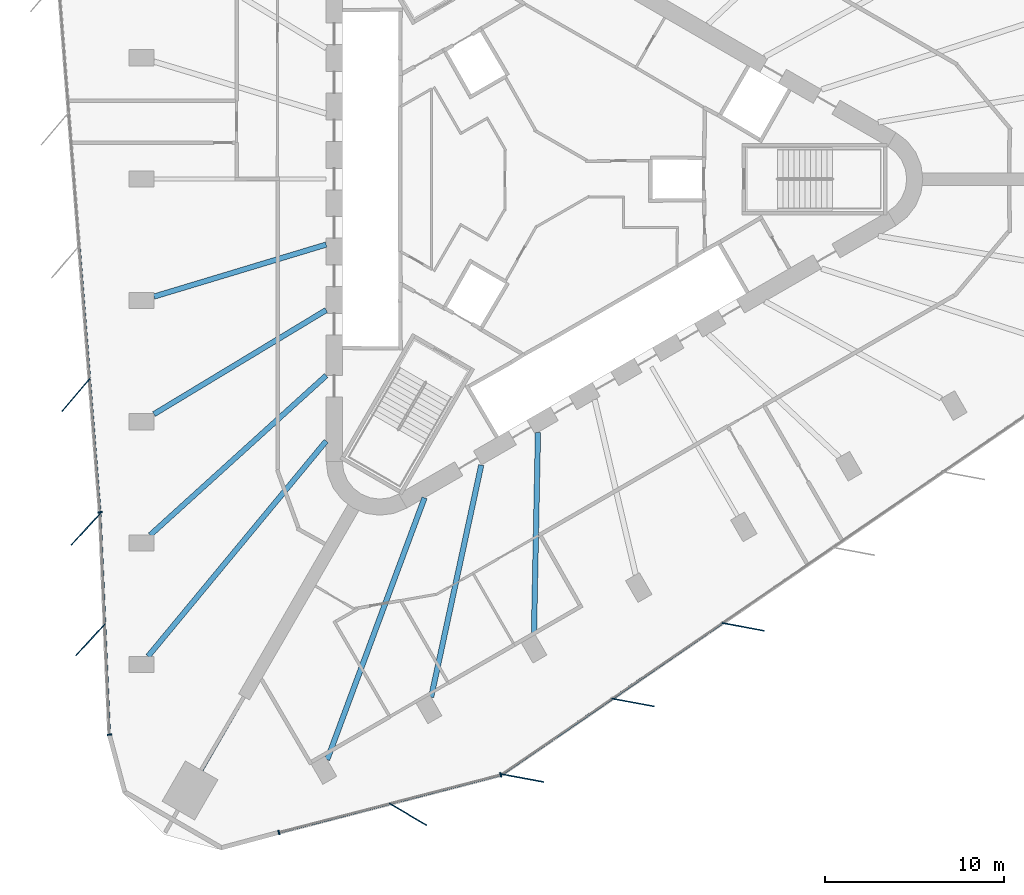
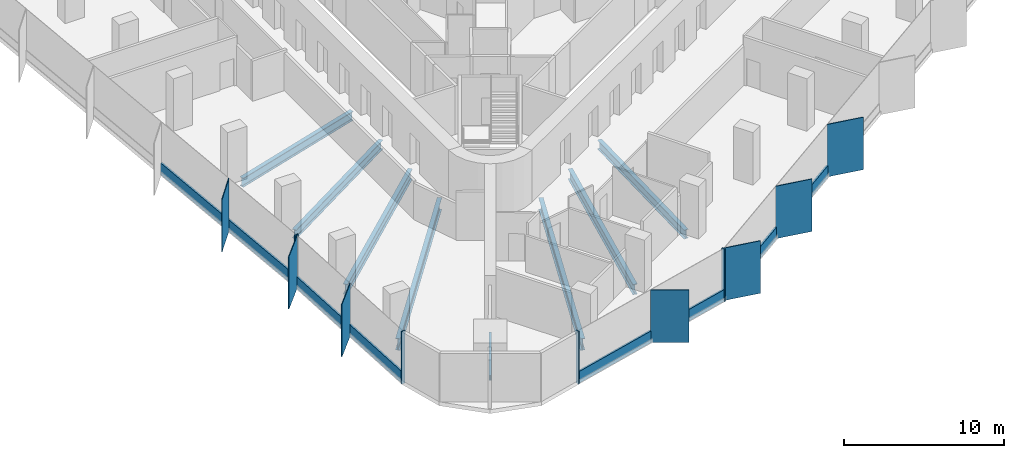
# One storey, part 2 of 13: 19 members, 8 beams, 4 elements without a shape of their own.
"""IFC4 building model written with IfcOpenShell, lengths in metres."""

from ifc_helpers import new_model, si_unit, direction, frame, origin, origin_2d, place, context, subcontext, project, spatial, rectangle, i_section, extrude, material, material_profile, profile_set, type_object, element, aggregate, save


model = new_model("IFC4")

# Units and contexts
model_context = context("Model", 3, precision=1e-05, world=origin(), true_north=direction((0.0, 1.0)))
body_context = subcontext(model_context, "Body", "Model", "MODEL_VIEW")
ifc_project = project(units=[si_unit("LENGTHUNIT", "METRE"), si_unit("AREAUNIT", "SQUARE_METRE"), si_unit("VOLUMEUNIT", "CUBIC_METRE"), si_unit("PLANEANGLEUNIT", "RADIAN"), si_unit("MASSUNIT", "GRAM", prefix="KILO")], contexts=[model_context])

# Site, building, storey
site_placement = place(None, origin())
site = spatial("IfcSite", under=ifc_project, at=site_placement, CompositionType="ELEMENT")
building_placement = place(site_placement, origin())
building = spatial("IfcBuilding", under=site, at=building_placement, Name="Tanit Gate Tower", CompositionType="ELEMENT")
storey_placement = place(building_placement, frame((0.0, 0.0, 189.199951171875)))
storey = spatial("IfcBuildingStorey", under=building, at=storey_placement, Name="L41", CompositionType="ELEMENT", Elevation=189.199951171875)

# Curtain wall, member
ifc_material_1 = material(Name="Aluminium bronze anodised and glass", Category="aluminium")
curtain_wall_type = type_object("IfcCurtainWallType", Name="Curtain wall typical mid", PredefinedType="NOTDEFINED", material=ifc_material_1)
curtain_wall_1_placement = place(storey_placement, origin())
curtain_wall_1 = element("IfcCurtainWall", 1, at=curtain_wall_1_placement, inside=storey, type_object=curtain_wall_type, Name="Curtain wall L41 W2", PredefinedType="NOTDEFINED")
ifc_material_2 = material(Name="Aluminium bronze anodised", Category="aluminium")
ifc_material_profile_1 = material_profile(ifc_material_2, rectangle(XDim=2.39990234375, YDim=0.055908203125, at=origin_2d()), Name="56x2400 bronze fin mullion")
ifc_profile_set_1 = profile_set([ifc_material_profile_1], Name="Aluminium bronze anodised")
member_type_1 = type_object("IfcMemberType", Name="FIN MULLION 56x2400 bronze", PredefinedType="MULLION", material=ifc_profile_set_1)
member_1_placement = place(storey_placement, frame((-26.070068359375, -12.05322265625, -0.300048828125), z_axis=(0.0, 0.0, 1.0), x_axis=(0.650025975428, 0.75991198916, 0.0)))
member_1 = element("IfcMember", 2, at=member_1_placement, type_object=member_type_1, Name="Fin mullion L41 W2.5", PredefinedType="MULLION", context=body_context, shape_type="SweptSolid", body=[
    extrude(rectangle(XDim=2.39990234375, YDim=0.055908203125, at=origin_2d()), origin(), (0.0, 0.0, 1.0), 4.0),
])

# Curtain wall, members
curtain_wall_2_placement = place(storey_placement, origin())
curtain_wall_2 = element("IfcCurtainWall", 3, at=curtain_wall_2_placement, inside=storey, type_object=curtain_wall_type, Name="Curtain wall L41 W3", PredefinedType="NOTDEFINED")
member_2_placement = place(storey_placement, frame((-25.516845703125, -19.542236328125, -0.300048828125), z_axis=(0.0, 0.0, 1.0), x_axis=(0.67655835187, 0.736389025254, 0.0)))
member_2 = element("IfcMember", 4, at=member_2_placement, type_object=member_type_1, Name="Fin mullion L41 W3.1", PredefinedType="MULLION", context=body_context, shape_type="SweptSolid", body=[
    extrude(rectangle(XDim=2.39990234375, YDim=0.055908203125, at=origin_2d()), origin(), (0.0, 0.0, 1.0), 4.0),
])
member_3_placement = place(storey_placement, frame((-25.255859375, -25.71044921875, -0.300048828125), z_axis=(0.0, 0.0, 1.0), x_axis=(0.67655835187, 0.736389025254, 0.0)))
member_3 = element("IfcMember", 5, at=member_3_placement, type_object=member_type_1, Name="Fin mullion L41 W3.2", PredefinedType="MULLION", context=body_context, shape_type="SweptSolid", body=[
    extrude(rectangle(XDim=2.39990234375, YDim=0.055908203125, at=origin_2d()), origin(), (0.0, 0.0, 1.0), 4.0),
])

# Curtain wall, member
curtain_wall_3_placement = place(storey_placement, origin())
curtain_wall_3 = element("IfcCurtainWall", 6, at=curtain_wall_3_placement, inside=storey, type_object=curtain_wall_type, Name="Curtain wall L41 SE1", PredefinedType="NOTDEFINED")
member_4_placement = place(storey_placement, frame((-7.5341796875, -35.45458984375, -0.300048828125), z_axis=(0.0, 0.0, 1.0), x_axis=(-0.862180059839, 0.506601958559, 0.0)))
member_4 = element("IfcMember", 7, at=member_4_placement, type_object=member_type_1, Name="Fin mullion L41 SE1.2", PredefinedType="MULLION", context=body_context, shape_type="SweptSolid", body=[
    extrude(rectangle(XDim=2.39990234375, YDim=0.055908203125, at=origin_2d()), origin(), (0.0, 0.0, 1.0), 4.0),
])

# Curtain wall, members
curtain_wall_4_placement = place(storey_placement, origin())
curtain_wall_4 = element("IfcCurtainWall", 8, at=curtain_wall_4_placement, inside=storey, type_object=curtain_wall_type, Name="Curtain wall L41 SE2", PredefinedType="NOTDEFINED")
member_5_placement = place(storey_placement, frame((-1.12939453125, -33.43212890625, -0.300048828125), z_axis=(0.0, 0.0, 1.0), x_axis=(-0.983116074967, 0.182983013261, 0.0)))
member_5 = element("IfcMember", 9, at=member_5_placement, type_object=member_type_1, Name="Fin mullion L41 SE2.1", PredefinedType="MULLION", context=body_context, shape_type="SweptSolid", body=[
    extrude(rectangle(XDim=2.39990234375, YDim=0.055908203125, at=origin_2d()), origin(), (0.0, 0.0, 1.0), 4.0),
])
member_6_placement = place(storey_placement, frame((5.021484375, -29.2119140625, -0.300048828125), z_axis=(0.0, 0.0, 1.0), x_axis=(-0.983116074967, 0.182983013261, 0.0)))
member_6 = element("IfcMember", 10, at=member_6_placement, type_object=member_type_1, Name="Fin mullion L41 SE2.2", PredefinedType="MULLION", context=body_context, shape_type="SweptSolid", body=[
    extrude(rectangle(XDim=2.39990234375, YDim=0.055908203125, at=origin_2d()), origin(), (0.0, 0.0, 1.0), 4.0),
])
member_7_placement = place(storey_placement, frame((11.172119140625, -24.991455078125, -0.300048828125), z_axis=(0.0, 0.0, 1.0), x_axis=(-0.983116074967, 0.182983013261, 0.0)))
member_7 = element("IfcMember", 11, at=member_7_placement, type_object=member_type_1, Name="Fin mullion L41 SE2.3", PredefinedType="MULLION", context=body_context, shape_type="SweptSolid", body=[
    extrude(rectangle(XDim=2.39990234375, YDim=0.055908203125, at=origin_2d()), origin(), (0.0, 0.0, 1.0), 4.0),
])

# Member
ifc_material_3 = material(Name="Aluminium bronze anodised", Category="aluminium")
ifc_material_profile_2 = material_profile(ifc_material_3, rectangle(XDim=0.260009765625, YDim=0.080078125, at=origin_2d()), Name="80x260 bronze mullion")
ifc_profile_set_2 = profile_set([ifc_material_profile_2], Name="Aluminium bronze anodised")
member_type_2 = type_object("IfcMemberType", Name="Mullion 80x260 typical mid", PredefinedType="MULLION", material=ifc_profile_set_2)
member_8_placement = place(storey_placement, frame((-24.72412109375, -18.59423828125, -0.300048828125), z_axis=(0.0, 0.0, 1.0), x_axis=(0.996976695812, 0.077701145467, 0.0)))
member_8 = element("IfcMember", 12, at=member_8_placement, type_object=member_type_2, Name="Mullion L41 W2.6", PredefinedType="MULLION", context=body_context, shape_type="SweptSolid", body=[
    extrude(rectangle(XDim=0.260009765625, YDim=0.080078125, at=origin_2d()), origin(), (0.0, 0.0, 1.0), 4.0),
])

member_9_placement = place(storey_placement, frame((-24.197021484375, -31.0107421875, -0.300048828125), z_axis=(0.0, 0.0, 1.0), x_axis=(0.999104671824, 0.042306674873, 0.0)))
member_9 = element("IfcMember", 13, at=member_9_placement, type_object=member_type_2, Name="Mullion L41 W3.3", PredefinedType="MULLION", context=body_context, shape_type="SweptSolid", body=[
    extrude(rectangle(XDim=0.260009765625, YDim=0.080078125, at=origin_2d()), origin(), (0.0, 0.0, 1.0), 4.0),
])

member_10_placement = place(storey_placement, frame((-14.7412109375, -36.465576171875, -0.300048828125), z_axis=(0.0, 0.0, 1.0), x_axis=(-0.251431686657, 0.967875047175, 0.0)))
member_10 = element("IfcMember", 14, at=member_10_placement, type_object=member_type_2, Name="Mullion L41 SE1.1", PredefinedType="MULLION", context=body_context, shape_type="SweptSolid", body=[
    extrude(rectangle(XDim=0.260009765625, YDim=0.080078125, at=origin_2d()), origin(), (0.0, 0.0, 1.0), 4.0),
])

member_11_placement = place(storey_placement, frame((-2.35986328125, -33.249267578125, -0.300048828125), z_axis=(0.0, 0.0, 1.0), x_axis=(-0.251431686657, 0.967875047175, 0.0)))
member_11 = element("IfcMember", 15, at=member_11_placement, type_object=member_type_2, Name="Mullion L41 SE1.3", PredefinedType="MULLION", context=body_context, shape_type="SweptSolid", body=[
    extrude(rectangle(XDim=0.260009765625, YDim=0.080078125, at=origin_2d()), origin(), (0.0, 0.0, 1.0), 4.0),
])

# Beams
ifc_material_4 = material(Name="Steel S355", Category="steel")
ifc_material_profile_3 = material_profile(ifc_material_4, i_section(OverallWidth=0.300048828125, OverallDepth=0.68994140625, WebThickness=0.014404296875, FlangeThickness=0.027099609375, FilletRadius=0.027099609375, at=origin_2d()), Name="HEA 700")
ifc_profile_set_3 = profile_set([ifc_material_profile_3], Name="Steel S355")
beam_type_1 = type_object("IfcBeamType", Name="RADIAL GIRDER HEA 700 S355", PredefinedType="BEAM", material=ifc_profile_set_3)
beam_1_placement = place(storey_placement, frame((-21.714599609375, -6.5595703125, -0.64501953125), z_axis=(0.95727515036, 0.28917864116, 0.0), x_axis=(-0.28917864116, 0.95727515036, 0.0)))
element("IfcBeam", 16, at=beam_1_placement, inside=storey, type_object=beam_type_1, Name="RADIAL GIRDER", PredefinedType="BEAM", context=body_context, shape_type="SweptSolid", body=[
    extrude(i_section(OverallWidth=0.300048828125, OverallDepth=0.68994140625, WebThickness=0.014404296875, FlangeThickness=0.027099609375, FilletRadius=0.027099609375, at=origin_2d()), origin(), (0.0, 0.0, 1.0), 10.04150390625),
])
for number, where, z_axis, x_axis, name in (
    (17, (-21.714599609375, -13.119140625, -0.64501953125), (0.855914138783, 0.517117962395, 0.0), (-0.517117962395, 0.855914138783, 0.0), "RADIAL GIRDER"),
    (18, (-0.504150390625, -25.364990234375, -0.64501953125), (0.019869098262, 0.999802589982, 0.0), (-0.999802589982, 0.019869098262, 0.0), "RADIAL GIRDER"),
):
    element("IfcBeam", number, at=place(storey_placement, frame(where, z_axis=z_axis, x_axis=x_axis)), inside=storey, type_object=beam_type_1, Name=name, PredefinedType="BEAM", context=body_context, shape_type="SweptSolid", body=[
        extrude(i_section(OverallWidth=0.300048828125, OverallDepth=0.68994140625, WebThickness=0.014404296875, FlangeThickness=0.027099609375, FilletRadius=0.027099609375, at=origin_2d()), origin(), (0.0, 0.0, 1.0), 11.230712890625),
    ])
ifc_material_5 = material(Name="Steel S355", Category="steel")
ifc_material_profile_4 = material_profile(ifc_material_5, i_section(OverallWidth=0.300048828125, OverallDepth=0.7900390625, WebThickness=0.014892578125, FlangeThickness=0.028076171875, FilletRadius=0.030029296875, at=origin_2d()), Name="HEA 800")
ifc_profile_set_4 = profile_set([ifc_material_profile_4], Name="Steel S355")
beam_type_2 = type_object("IfcBeamType", Name="RADIAL GIRDER HEA 800 S355", PredefinedType="BEAM", material=ifc_profile_set_4)
beam_2_placement = place(storey_placement, frame((-21.918212890625, -19.86279296875, -0.695068359375), z_axis=(0.741001566529, 0.671503297387, 0.0), x_axis=(-0.671503297387, 0.741001566529, 0.0)))
element("IfcBeam", 19, at=beam_2_placement, inside=storey, type_object=beam_type_2, Name="RADIAL GIRDER", PredefinedType="BEAM", context=body_context, shape_type="SweptSolid", body=[
    extrude(i_section(OverallWidth=0.300048828125, OverallDepth=0.7900390625, WebThickness=0.014892578125, FlangeThickness=0.028076171875, FilletRadius=0.030029296875, at=origin_2d()), origin(), (0.0, 0.0, 1.0), 13.2470703125),
])
beam_3_placement = place(storey_placement, frame((-6.242919921875, -28.9130859375, -0.695068359375), z_axis=(0.211052986888, 0.977474622037, 0.0), x_axis=(-0.977474622037, 0.211052986888, 0.0)))
element("IfcBeam", 20, at=beam_3_placement, inside=storey, type_object=beam_type_2, Name="RADIAL GIRDER", PredefinedType="BEAM", context=body_context, shape_type="SweptSolid", body=[
    extrude(i_section(OverallWidth=0.300048828125, OverallDepth=0.7900390625, WebThickness=0.014892578125, FlangeThickness=0.028076171875, FilletRadius=0.030029296875, at=origin_2d()), origin(), (0.0, 0.0, 1.0), 13.247314453125),
])
ifc_material_6 = material(Name="Steel S355", Category="steel")
ifc_material_profile_5 = material_profile(ifc_material_6, i_section(OverallWidth=0.300048828125, OverallDepth=0.889892578125, WebThickness=0.01611328125, FlangeThickness=0.030029296875, FilletRadius=0.030029296875, at=origin_2d()), Name="HEA 900")
ifc_profile_set_5 = profile_set([ifc_material_profile_5], Name="Steel S355")
beam_type_3 = type_object("IfcBeamType", Name="RADIAL GIRDER HEA 900 S355", PredefinedType="BEAM", material=ifc_profile_set_5)
beam_4_placement = place(storey_placement, frame((-22.042236328125, -26.6337890625, -0.744873046875), z_axis=(0.637577648995, 0.77038609898, 0.0), x_axis=(-0.77038609898, 0.637577648995, 0.0)))
element("IfcBeam", 21, at=beam_4_placement, inside=storey, type_object=beam_type_3, Name="RADIAL GIRDER", PredefinedType="BEAM", context=body_context, shape_type="SweptSolid", body=[
    extrude(i_section(OverallWidth=0.300048828125, OverallDepth=0.889892578125, WebThickness=0.01611328125, FlangeThickness=0.030029296875, FilletRadius=0.030029296875, at=origin_2d()), origin(), (0.0, 0.0, 1.0), 15.590576171875),
])
beam_5_placement = place(storey_placement, frame((-12.04443359375, -32.40625, -0.744873046875), z_axis=(0.348383102876, 0.937352235625, 0.0), x_axis=(-0.937352235625, 0.348383102876, 0.0)))
element("IfcBeam", 22, at=beam_5_placement, inside=storey, type_object=beam_type_3, Name="RADIAL GIRDER", PredefinedType="BEAM", context=body_context, shape_type="SweptSolid", body=[
    extrude(i_section(OverallWidth=0.300048828125, OverallDepth=0.889892578125, WebThickness=0.01611328125, FlangeThickness=0.030029296875, FilletRadius=0.030029296875, at=origin_2d()), origin(), (0.0, 0.0, 1.0), 15.591064453125),
])
ifc_material_7 = material(Name="Steel S355", Category="steel")
ifc_material_profile_6 = material_profile(ifc_material_7, i_section(OverallWidth=0.179931640625, OverallDepth=0.39990234375, WebThickness=0.008544921875, FlangeThickness=0.013427734375, FilletRadius=0.02099609375, at=origin_2d()), Name="IPE 400")
ifc_profile_set_6 = profile_set([ifc_material_profile_6], Name="Steel S355")
beam_type_4 = type_object("IfcBeamType", Name="RADIAL GIRDER IPE 400 S355", PredefinedType="BEAM", material=ifc_profile_set_6)
beam_6_placement = place(storey_placement, frame((-19.05126953125, -32.997802734375, -0.5), z_axis=(0.49999482868, 0.866028389427, 0.0), x_axis=(-0.866028389427, 0.49999482868, 0.0)))
element("IfcBeam", 23, at=beam_6_placement, inside=storey, type_object=beam_type_4, Name="RADIAL GIRDER", PredefinedType="BEAM", context=body_context, shape_type="SweptSolid", body=[
    extrude(i_section(OverallWidth=0.179931640625, OverallDepth=0.39990234375, WebThickness=0.008544921875, FlangeThickness=0.013427734375, FilletRadius=0.02099609375, at=origin_2d()), origin(), (0.0, 0.0, 1.0), 4.73291015625),
])

# Member
ifc_material_8 = material(Name="Aluminium bronze anodised", Category="aluminium")
ifc_material_profile_7 = material_profile(ifc_material_8, rectangle(XDim=0.139892578125, YDim=0.89990234375, at=origin_2d()), Name="140x900 bronze transom")
ifc_profile_set_7 = profile_set([ifc_material_profile_7], Name="Aluminium bronze anodised")
member_type_3 = type_object("IfcMemberType", Name="Transom 140x900 typical mid", PredefinedType="USERDEFINED", material=ifc_profile_set_7)
member_12_placement = place(storey_placement, frame((-25.88037109375, -3.760498046875, 0.150146484375), z_axis=(0.077713489247, -0.996975733701, 0.0), x_axis=(0.996975733701, 0.077713489247, 0.0)))
member_12 = element("IfcMember", 24, at=member_12_placement, type_object=member_type_3, Name="Transom L41 W2.4", ObjectType="TRANSOM", PredefinedType="USERDEFINED", context=body_context, shape_type="SweptSolid", body=[
    extrude(rectangle(XDim=0.139892578125, YDim=0.89990234375, at=origin_2d()), origin(), (0.0, 0.0, 1.0), 7.37939453125),
])

member_13_placement = place(storey_placement, frame((-25.30078125, -11.197509765625, 0.150146484375), z_axis=(0.077716052602, -0.996975533886, 0.0), x_axis=(0.996975533886, 0.077716052602, 0.0)))
member_13 = element("IfcMember", 25, at=member_13_placement, type_object=member_type_3, Name="Transom L41 W2.5", ObjectType="TRANSOM", PredefinedType="USERDEFINED", context=body_context, shape_type="SweptSolid", body=[
    extrude(rectangle(XDim=0.139892578125, YDim=0.89990234375, at=origin_2d()), origin(), (0.0, 0.0, 1.0), 7.379150390625),
])

aggregate(curtain_wall_1, [member_1, member_8, member_12, member_13])

member_14_placement = place(storey_placement, frame((-24.7177734375, -18.714111328125, 0.150146484375), z_axis=(0.042307102187, -0.99910465373, 0.0), x_axis=(0.99910465373, 0.042307102187, 0.0)))
member_14 = element("IfcMember", 26, at=member_14_placement, type_object=member_type_3, Name="Transom L41 W3.1", ObjectType="TRANSOM", PredefinedType="USERDEFINED", context=body_context, shape_type="SweptSolid", body=[
    extrude(rectangle(XDim=0.139892578125, YDim=0.89990234375, at=origin_2d()), origin(), (0.0, 0.0, 1.0), 6.09375),
])

member_15_placement = place(storey_placement, frame((-24.45654296875, -24.88232421875, 0.150146484375), z_axis=(0.042307102187, -0.99910465373, 0.0), x_axis=(0.99910465373, 0.042307102187, 0.0)))
member_15 = element("IfcMember", 27, at=member_15_placement, type_object=member_type_3, Name="Transom L41 W3.2", ObjectType="TRANSOM", PredefinedType="USERDEFINED", context=body_context, shape_type="SweptSolid", body=[
    extrude(rectangle(XDim=0.139892578125, YDim=0.89990234375, at=origin_2d()), origin(), (0.0, 0.0, 1.0), 6.09375),
])

aggregate(curtain_wall_2, [member_2, member_3, member_9, member_14, member_15])

member_16_placement = place(storey_placement, frame((-14.702392578125, -36.45556640625, 0.150146484375), z_axis=(0.967873319689, 0.251438336445, 0.0), x_axis=(-0.251438336445, 0.967873319689, 0.0)))
member_16 = element("IfcMember", 28, at=member_16_placement, type_object=member_type_3, Name="Transom L41 SE1.1", ObjectType="TRANSOM", PredefinedType="USERDEFINED", context=body_context, shape_type="SweptSolid", body=[
    extrude(rectangle(XDim=0.139892578125, YDim=0.89990234375, at=origin_2d()), origin(), (0.0, 0.0, 1.0), 6.316162109375),
])

member_17_placement = place(storey_placement, frame((-8.51171875, -34.847412109375, 0.150146484375), z_axis=(0.967870875856, 0.251447743418, 0.0), x_axis=(-0.251447743418, 0.967870875856, 0.0)))
member_17 = element("IfcMember", 29, at=member_17_placement, type_object=member_type_3, Name="Transom L41 SE1.2", ObjectType="TRANSOM", PredefinedType="USERDEFINED", context=body_context, shape_type="SweptSolid", body=[
    extrude(rectangle(XDim=0.139892578125, YDim=0.89990234375, at=origin_2d()), origin(), (0.0, 0.0, 1.0), 6.31591796875),
])

aggregate(curtain_wall_3, [member_10, member_4, member_11, member_16, member_17])

member_18_placement = place(storey_placement, frame((-2.255126953125, -33.19384765625, 0.150146484375), z_axis=(0.824559958411, 0.565774579657, 0.0), x_axis=(-0.565774579657, 0.824559958411, 0.0)))
member_18 = element("IfcMember", 30, at=member_18_placement, type_object=member_type_3, Name="Transom L41 SE2.1", ObjectType="TRANSOM", PredefinedType="USERDEFINED", context=body_context, shape_type="SweptSolid", body=[
    extrude(rectangle(XDim=0.139892578125, YDim=0.89990234375, at=origin_2d()), origin(), (0.0, 0.0, 1.0), 7.37939453125),
])

member_19_placement = place(storey_placement, frame((3.8955078125, -28.973388671875, 0.150146484375), z_axis=(0.824559958411, 0.565774579657, 0.0), x_axis=(-0.565774579657, 0.824559958411, 0.0)))
member_19 = element("IfcMember", 31, at=member_19_placement, type_object=member_type_3, Name="Transom L41 SE2.2", ObjectType="TRANSOM", PredefinedType="USERDEFINED", context=body_context, shape_type="SweptSolid", body=[
    extrude(rectangle(XDim=0.139892578125, YDim=0.89990234375, at=origin_2d()), origin(), (0.0, 0.0, 1.0), 7.37939453125),
])

aggregate(curtain_wall_4, [member_5, member_6, member_7, member_18, member_19])

save(model, "model.ifc")
